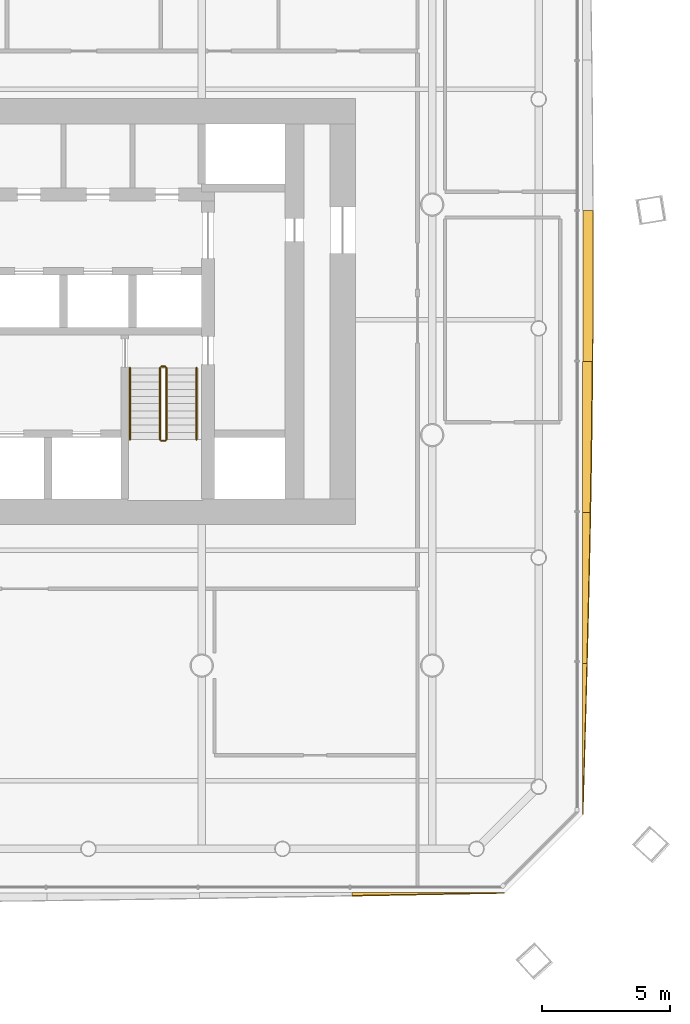
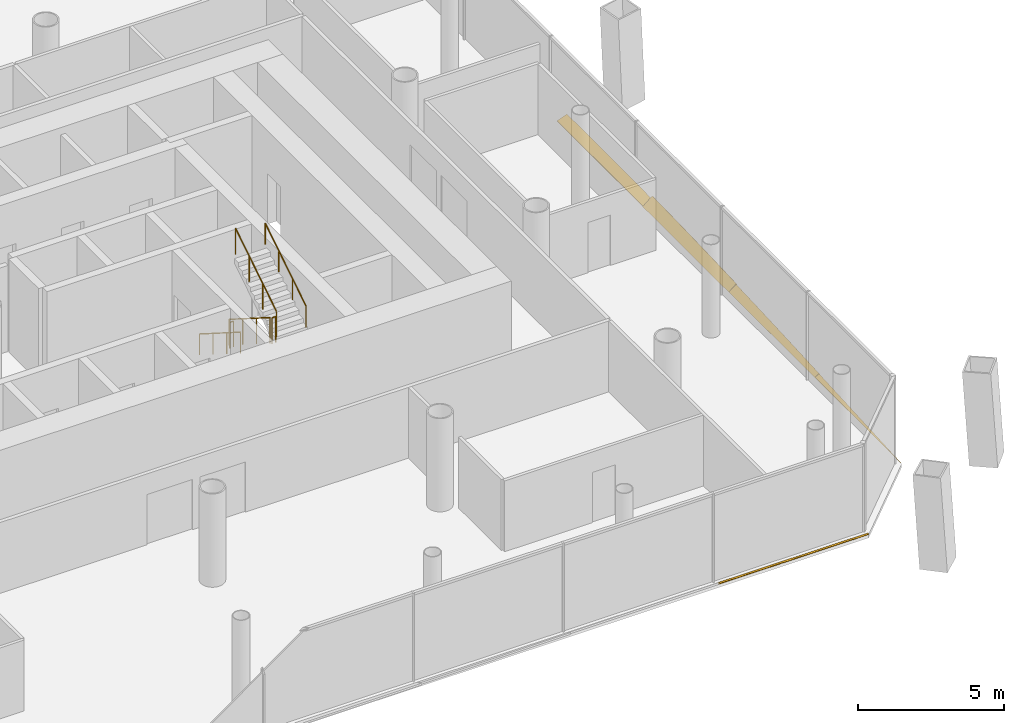
# One storey, part 19 of 21: 6 railings, 5 shading devices.
"""IFC4 building model written with IfcOpenShell, lengths in metres."""

from ifc_helpers import new_model, si_unit, direction, frame, origin, origin_2d, place, context, subcontext, project, spatial, polyline, circle, outline, extrude, material, layer, layer_set, type_object, element, save


model = new_model("IFC4")

# Units and contexts
model_context = context("Model", 3, precision=1e-05, world=origin(), true_north=direction((0.0, 1.0)))
body_context = subcontext(model_context, "Body", "Model", "MODEL_VIEW")
ifc_project = project(units=[si_unit("LENGTHUNIT", "METRE"), si_unit("AREAUNIT", "SQUARE_METRE"), si_unit("VOLUMEUNIT", "CUBIC_METRE"), si_unit("PLANEANGLEUNIT", "RADIAN"), si_unit("MASSUNIT", "GRAM", prefix="KILO")], contexts=[model_context])

# Site, building, storey
site_placement = place(None, origin())
site = spatial("IfcSite", under=ifc_project, at=site_placement, CompositionType="ELEMENT")
building_placement = place(site_placement, origin())
building = spatial("IfcBuilding", under=site, at=building_placement, Name="Tskaro Facet Tower", CompositionType="ELEMENT")
storey_placement = place(building_placement, frame((0.0, 0.0, 38.10009765625)))
storey = spatial("IfcBuildingStorey", under=building, at=storey_placement, Name="L08", CompositionType="ELEMENT", Elevation=38.10009765625)

# Shading devices
ifc_material_1 = material(Name="Bronze anodised aluminium 6063-T6", Category="aluminium")
ifc_layer = layer(ifc_material_1, 0.06005859375, Name="Bronze anodised aluminium 6063-T6")
ifc_layer_set = layer_set([ifc_layer], Name="Bronze anodised aluminium 6063-T6")
shading_device_type = type_object("IfcShadingDeviceType", Name="Bronze sun blade (FN1)", PredefinedType="USERDEFINED", material=ifc_layer_set)
shading_device_1_placement = place(storey_placement, frame((14.86279296875, -26.865478515625, 0.0458984375), z_axis=(3.0010297e-05, 0.642719527322, 0.766101565263), x_axis=(0.99999999955, -1.9288204e-05, -2.2990936e-05)))
element("IfcShadingDevice", 1, at=shading_device_1_placement, inside=storey, type_object=shading_device_type, Name="Fin blade south 8", ObjectType="FIN", PredefinedType="USERDEFINED", context=body_context, shape_type="SweptSolid", body=[
    extrude(outline(polyline([(0.0, 0.0), (5.954101559818814, 0.0), (5.209960934143829, -0.01819295082153352), (4.465576172552988, -0.03657293815810809), (3.7214355468780025, -0.05476588897964161), (2.977050780578127, -0.07295883980117514), (2.232910154903142, -0.09115179062270866), (1.4885253895072534, -0.10900079098203043), (0.7441406241113654, -0.1268497913413522), (-5.3686670210868154e-09, -0.14451175518563292), (0.0, 0.0)])), origin(), (0.0, 0.0, -1.0), 0.06005859375),
])
shading_device_2_placement = place(storey_placement, frame((23.8740234375, -23.81689453125, 0.0517578125), z_axis=(-0.50068081289, 3.045541e-05, 0.865631978774), x_axis=(1.524844e-05, 0.999999999536, -2.6363177e-05)))
element("IfcShadingDevice", 2, at=shading_device_2_placement, inside=storey, type_object=shading_device_type, Name="Fin blade east 1", ObjectType="FIN", PredefinedType="USERDEFINED", context=body_context, shape_type="SweptSolid", body=[
    extrude(outline(polyline([(0.0, 0.0), (5.89428710664143, 9.985310764433874e-21), (5.894287112054613, -0.1899904273117243), (5.157470704396074, -0.16746067249295934), (4.42065429572833, -0.14438600928272144), (3.683837889774146, -0.12097777361342651), (2.947265627158407, -0.09723596548507454), (2.210449216472254, -0.07307148549189073), (1.4736328057861015, -0.04890700549870691), (0.7368164015362711, -0.024620288978881973), (0.0, 0.0)])), origin(), (0.0, 0.0, -1.0), 0.06005859375),
])
shading_device_3_placement = place(storey_placement, frame((23.86962890625, -17.922607421875, 0.049072265625), z_axis=(-0.573576398239, 3.818634e-06, 0.819152070966), x_axis=(2.190278e-06, 0.999999999993, -3.128042e-06)))
element("IfcShadingDevice", 3, at=shading_device_3_placement, inside=storey, type_object=shading_device_type, Name="Fin blade east 2", ObjectType="FIN", PredefinedType="USERDEFINED", context=body_context, shape_type="SweptSolid", body=[
    extrude(outline(polyline([(0.0, 0.0), (5.894531249957024, 2.4964310886850375e-21), (5.894531249769272, -0.36513423745943496), (5.157714843820927, -0.3477935508275087), (4.420898437261003, -0.3293728444005688), (3.6840820313879177, -0.30993207317684013), (2.9472656254379883, -0.289611270456675), (2.2104492186475335, -0.26855046954042583), (1.4736328125439178, -0.2464696038273879), (0.7368164061345119, -0.22384872821684312), (-5.806835747947169e-10, -0.20068784270879153), (0.0, 0.0)])), origin(), (0.0, 0.0, -1.0), 0.06005859375),
])
shading_device_4_placement = place(storey_placement, frame((23.865478515625, -12.028076171875, 0.0458984375), z_axis=(-0.642769611304, -2.697213e-06, 0.76605954519), x_axis=(-1.733686e-06, 0.999999999996, 2.066226e-06)))
element("IfcShadingDevice", 4, at=shading_device_4_placement, inside=storey, type_object=shading_device_type, Name="Fin blade east 3", ObjectType="FIN", PredefinedType="USERDEFINED", context=body_context, shape_type="SweptSolid", body=[
    extrude(outline(polyline([(0.0, 0.0), (5.894531249978559, 1.2482155443425188e-21), (5.894531250110892, -0.49561448621329995), (5.157714843770525, -0.4872994277114069), (4.4208984375286775, -0.47742153323021946), (3.684082031385348, -0.4659808027697377), (2.9472656249984595, -0.45350821501689814), (2.2104492187100884, -0.43947279128476424), (1.4736328121781583, -0.4244055102602725), (0.736816406249196, -0.4079323194311217), (7.667473271631191e-11, -0.3904272713096131), (0.0, 0.0)])), origin(), (0.0, 0.0, -1.0), 0.06005859375),
])
shading_device_5_placement = place(storey_placement, frame((23.883544921875, -6.133544921875, 0.056396484375), z_axis=(-0.34185771072, 5.422834e-06, 0.939751725506), x_axis=(1.853838e-06, 0.999999999985, -5.096118e-06)))
element("IfcShadingDevice", 5, at=shading_device_5_placement, inside=storey, type_object=shading_device_type, Name="Fin blade east 4", ObjectType="FIN", PredefinedType="USERDEFINED", context=body_context, shape_type="SweptSolid", body=[
    extrude(outline(polyline([(0.0, 0.0), (5.89453124991333, 0.0), (5.894531249850363, -0.417750863137286), (5.157714843499464, -0.41983669979166466), (4.4208984378265175, -0.42083788744127526), (3.9140625003339693, -0.42083788744127526), (3.684082031587351, -0.42083788744127526), (2.9472656247819664, -0.41983669979166466), (2.210449218654531, -0.417750863137286), (1.47363281275245, -0.41435094590452587), (0.7368164058315526, -0.4097204094485419), (-4.1139459763559974e-10, -0.4040052239877898), (0.0, 0.0)])), origin(), (0.0, 0.0, -1.0), 0.06005859375),
])

# Railings
ifc_material_2 = material(Name="Stainless steel", Category="steel")
railing_type_1 = type_object("IfcRailingType", Name="RL-GUARD-1100", PredefinedType="GUARDRAIL", material=ifc_material_2)
railing_1_placement = place(storey_placement, frame((7.375, -6.375, 0.17724609375)))
element("IfcRailing", 6, at=railing_1_placement, inside=storey, type_object=railing_type_1, Name="L08 ST-2 stair guard 1", PredefinedType="GUARDRAIL", context=body_context, shape_type="SweptSolid", body=[
    extrude(circle(Radius=0.02392578125, at=origin_2d()), frame((0.0, 0.0, 1.076171875), z_axis=(0.0, -0.844908973607, 0.534910110503), x_axis=(1.0, 0.0, 0.0)), (0.0, 0.0, 1.0), 3.31396484375),
    extrude(circle(Radius=0.02099609375, at=origin_2d()), origin(), (0.0, 0.0, 1.0), 1.052001953125),
    extrude(circle(Radius=0.02099609375, at=origin_2d()), frame((0.0, -0.933349609375, 0.5908203125)), (0.0, 0.0, 1.0), 1.052001953125),
    extrude(circle(Radius=0.02099609375, at=origin_2d()), frame((0.0, -1.86669921875, 1.181884765625)), (0.0, 0.0, 1.0), 1.052001953125),
    extrude(circle(Radius=0.02099609375, at=origin_2d()), frame((0.0, -2.800048828125, 1.772705078125)), (0.0, 0.0, 1.0), 1.052001953125),
])
railing_2_placement = place(storey_placement, frame((7.425048828125, -9.22509765625, 1.949951171875)))
element("IfcRailing", 7, at=railing_2_placement, inside=storey, type_object=railing_type_1, Name="L08 ST-2 stair guard 2", PredefinedType="GUARDRAIL", context=body_context, shape_type="SweptSolid", body=[
    extrude(circle(Radius=0.02392578125, at=origin_2d()), frame((0.0, 0.0, 1.076171875), z_axis=(1.0, 0.0, 0.0), x_axis=(0.0, 1.0, 0.0)), (0.0, 0.0, 1.0), 0.14990234375),
    extrude(circle(Radius=0.02099609375, at=origin_2d()), origin(), (0.0, 0.0, 1.0), 1.052001953125),
    extrude(circle(Radius=0.02099609375, at=origin_2d()), frame((0.14990234375, 0.0, 0.0)), (0.0, 0.0, 1.0), 1.052001953125),
])
railing_3_placement = place(storey_placement, frame((7.625, -9.175048828125, 2.127197265625)))
element("IfcRailing", 8, at=railing_3_placement, inside=storey, type_object=railing_type_1, Name="L08 ST-2 stair guard 3", PredefinedType="GUARDRAIL", context=body_context, shape_type="SweptSolid", body=[
    extrude(circle(Radius=0.02392578125, at=origin_2d()), frame((0.0, 0.0, 1.076171875), z_axis=(0.0, 0.844908973607, 0.534910110503), x_axis=(-1.0, 0.0, 0.0)), (0.0, 0.0, 1.0), 3.31396484375),
    extrude(circle(Radius=0.02099609375, at=origin_2d()), origin(), (0.0, 0.0, 1.0), 1.052001953125),
    extrude(circle(Radius=0.02099609375, at=origin_2d()), frame((0.0, 0.933349609375, 0.5908203125)), (0.0, 0.0, 1.0), 1.052001953125),
    extrude(circle(Radius=0.02099609375, at=origin_2d()), frame((0.0, 1.86669921875, 1.181884765625)), (0.0, 0.0, 1.0), 1.052001953125),
    extrude(circle(Radius=0.02099609375, at=origin_2d()), frame((0.0, 2.800048828125, 1.772705078125)), (0.0, 0.0, 1.0), 1.052001953125),
])
railing_4_placement = place(storey_placement, frame((7.425048828125, -6.324951171875, 0.0)))
element("IfcRailing", 9, at=railing_4_placement, inside=storey, type_object=railing_type_1, Name="L08 ST-2 stair guard 4", PredefinedType="GUARDRAIL", context=body_context, shape_type="SweptSolid", body=[
    extrude(circle(Radius=0.02392578125, at=origin_2d()), frame((0.0, 0.0, 1.076171875), z_axis=(1.0, 0.0, 0.0), x_axis=(0.0, 1.0, 0.0)), (0.0, 0.0, 1.0), 0.14990234375),
    extrude(circle(Radius=0.02099609375, at=origin_2d()), origin(), (0.0, 0.0, 1.0), 1.052001953125),
    extrude(circle(Radius=0.02099609375, at=origin_2d()), frame((0.14990234375, 0.0, 0.0)), (0.0, 0.0, 1.0), 1.052001953125),
])
railing_type_2 = type_object("IfcRailingType", Name="RL-HANDRAIL-900", PredefinedType="HANDRAIL", material=ifc_material_2)
railing_5_placement = place(storey_placement, frame((6.199951171875, -6.375, 0.17724609375)))
element("IfcRailing", 10, at=railing_5_placement, inside=storey, type_object=railing_type_2, Name="L08 ST-2 stair handrail 1", PredefinedType="HANDRAIL", context=body_context, shape_type="SweptSolid", body=[
    extrude(circle(Radius=0.02392578125, at=origin_2d()), frame((0.0, 0.0, 0.8759765625), z_axis=(0.0, -0.844908973607, 0.534910110503), x_axis=(1.0, 0.0, 0.0)), (0.0, 0.0, 1.0), 3.31396484375),
    extrude(circle(Radius=0.02099609375, at=origin_2d()), origin(), (0.0, 0.0, 1.0), 0.851806640625),
    extrude(circle(Radius=0.02099609375, at=origin_2d()), frame((0.0, -0.933349609375, 0.5908203125)), (0.0, 0.0, 1.0), 0.851806640625),
    extrude(circle(Radius=0.02099609375, at=origin_2d()), frame((0.0, -1.86669921875, 1.181884765625)), (0.0, 0.0, 1.0), 0.851806640625),
    extrude(circle(Radius=0.02099609375, at=origin_2d()), frame((0.0, -2.800048828125, 1.772705078125)), (0.0, 0.0, 1.0), 0.851806640625),
])
railing_6_placement = place(storey_placement, frame((8.800048828125, -9.175048828125, 2.127197265625)))
element("IfcRailing", 11, at=railing_6_placement, inside=storey, type_object=railing_type_2, Name="L08 ST-2 stair handrail 2", PredefinedType="HANDRAIL", context=body_context, shape_type="SweptSolid", body=[
    extrude(circle(Radius=0.02392578125, at=origin_2d()), frame((0.0, 0.0, 0.8759765625), z_axis=(0.0, 0.844908973607, 0.534910110503), x_axis=(-1.0, 0.0, 0.0)), (0.0, 0.0, 1.0), 3.31396484375),
    extrude(circle(Radius=0.02099609375, at=origin_2d()), origin(), (0.0, 0.0, 1.0), 0.851806640625),
    extrude(circle(Radius=0.02099609375, at=origin_2d()), frame((0.0, 0.933349609375, 0.5908203125)), (0.0, 0.0, 1.0), 0.851806640625),
    extrude(circle(Radius=0.02099609375, at=origin_2d()), frame((0.0, 1.86669921875, 1.181884765625)), (0.0, 0.0, 1.0), 0.851806640625),
    extrude(circle(Radius=0.02099609375, at=origin_2d()), frame((0.0, 2.800048828125, 1.772705078125)), (0.0, 0.0, 1.0), 0.851806640625),
])

save(model, "model.ifc")
